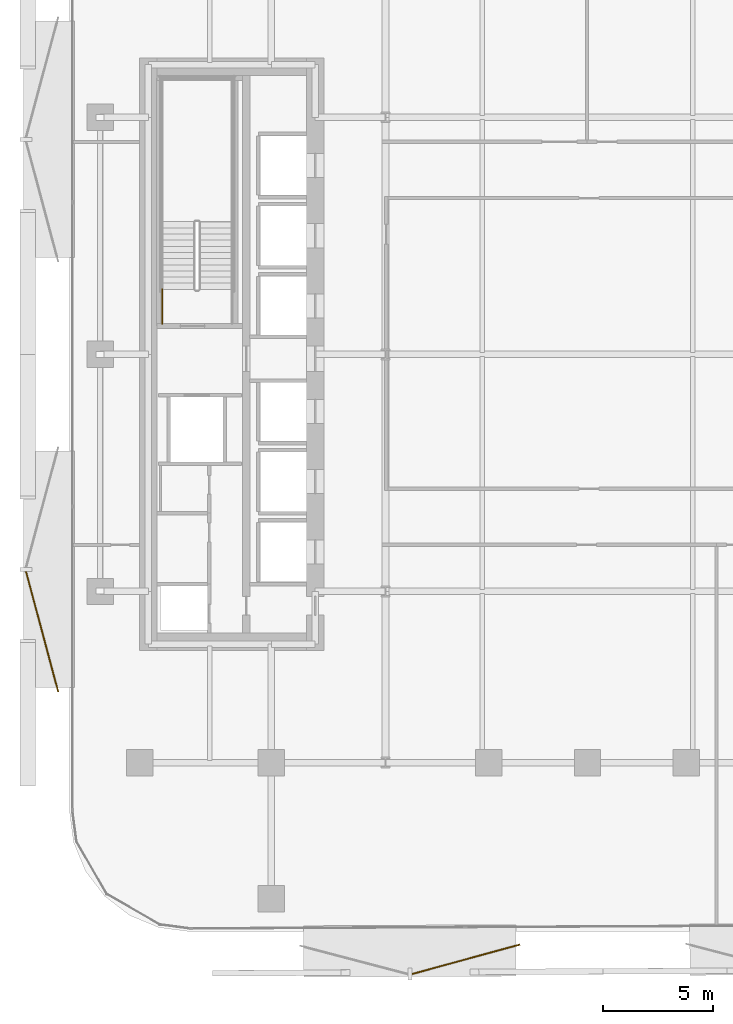
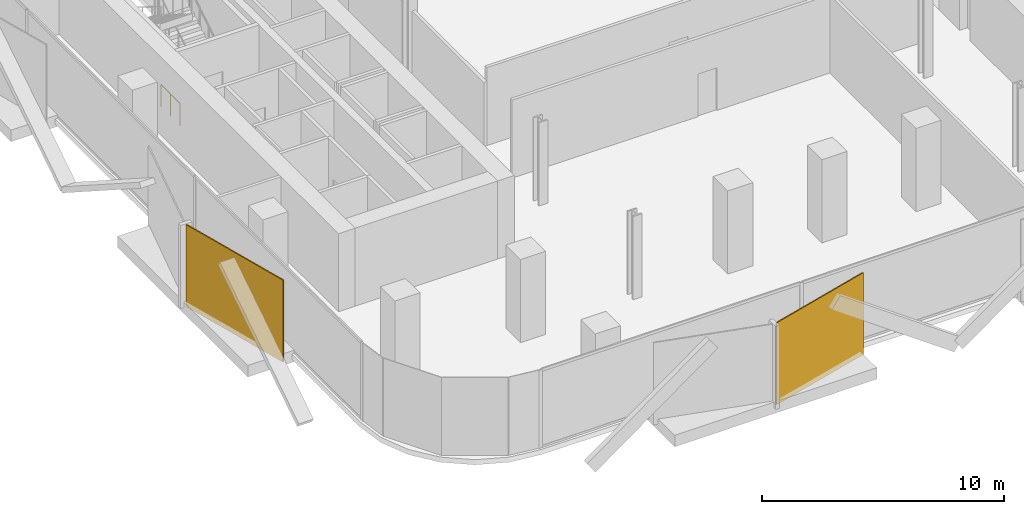
# One storey, part 10 of 14: 2 coverings, 1 railing.
"""IFC4 building model written with IfcOpenShell, lengths in metres."""

from ifc_helpers import new_model, si_unit, direction, frame, origin, origin_2d, place, context, subcontext, project, spatial, rectangle, circle, extrude, material, layer, layer_set, type_object, element, save


model = new_model("IFC4")

# Units and contexts
model_context = context("Model", 3, precision=1e-05, world=origin(), true_north=direction((0.0, 1.0)))
body_context = subcontext(model_context, "Body", "Model", "MODEL_VIEW")
ifc_project = project(units=[si_unit("LENGTHUNIT", "METRE"), si_unit("AREAUNIT", "SQUARE_METRE"), si_unit("VOLUMEUNIT", "CUBIC_METRE"), si_unit("PLANEANGLEUNIT", "RADIAN"), si_unit("MASSUNIT", "GRAM", prefix="KILO")], contexts=[model_context])

# Site, building, storey
site_placement = place(None, origin())
site = spatial("IfcSite", under=ifc_project, at=site_placement, CompositionType="ELEMENT")
building_placement = place(site_placement, origin())
building = spatial("IfcBuilding", under=site, at=building_placement, Name="Khairoan Windgate Tower", CompositionType="ELEMENT")
storey_placement = place(building_placement, frame((0.0, 0.0, 93.199951171875)))
storey = spatial("IfcBuildingStorey", under=building, at=storey_placement, Name="L21", CompositionType="ELEMENT", Elevation=93.199951171875)

# Coverings
ifc_material_1 = material(Name="Anodised Bronze Aluminium 6063-T6", Category="aluminium")
ifc_layer = layer(ifc_material_1, 0.054931640625, Name="Anodised Bronze Aluminium 6063-T6")
ifc_layer_set = layer_set([ifc_layer], Name="Anodised Bronze Aluminium 6063-T6")
covering_type = type_object("IfcCoveringType", Name="Perforated Bronze-Ceramic Folded Solar Screen Cladding BSC-1", PredefinedType="CLADDING", material=ifc_layer_set)
covering_1_placement = place(storey_placement, frame((-5.53564453125, -27.55859375, -0.10009765625), z_axis=(0.0, 0.0, 1.0), x_axis=(-0.964649468762, -0.263536339841, 0.0)))
element("IfcCovering", 1, at=covering_1_placement, inside=storey, type_object=covering_type, Name="L21 Folded Bronze Solar Screen Facet 114L", PredefinedType="CLADDING", context=body_context, shape_type="SweptSolid", body=[
    extrude(rectangle(XDim=5.10107421875, YDim=0.054931640625, at=origin_2d()), origin(), (0.0, 0.0, 1.0), 4.139892578125),
])
covering_2_placement = place(storey_placement, frame((-24.8447265625, -12.629150390625, -0.10009765625), z_axis=(0.0, 0.0, 1.0), x_axis=(-0.258819045103, 0.965925826289, 0.0)))
element("IfcCovering", 2, at=covering_2_placement, inside=storey, type_object=covering_type, Name="L21 Folded Bronze Solar Screen Facet 115L", PredefinedType="CLADDING", context=body_context, shape_type="SweptSolid", body=[
    extrude(rectangle(XDim=5.680908203125, YDim=0.054931640625, at=origin_2d()), origin(), (0.0, 0.0, 1.0), 4.139892578125),
])

# Railing
ifc_material_2 = material(Name="Steel S355", Category="steel")
railing_type = type_object("IfcRailingType", Name="Stairwell Safety Guardrail SGR-1150", PredefinedType="GUARDRAIL", material=ifc_material_2)
railing_placement = place(storey_placement, frame((-19.3701171875, 1.39990234375, 0.0)))
element("IfcRailing", 3, at=railing_placement, inside=storey, type_object=railing_type, Name="L21 ST2 stair guard 9", PredefinedType="GUARDRAIL", context=body_context, shape_type="SweptSolid", body=[
    extrude(circle(Radius=0.02392578125, at=origin_2d()), frame((0.0, 0.0, 1.1259765625), z_axis=(0.0, 1.0, 0.0), x_axis=(-1.0, 0.0, 0.0)), (0.0, 0.0, 1.0), 1.56005859375),
    extrude(circle(Radius=0.02099609375, at=origin_2d()), origin(), (0.0, 0.0, 1.0), 1.101806640625),
    extrude(circle(Radius=0.02099609375, at=origin_2d()), frame((0.0, 0.780029296875, 0.0)), (0.0, 0.0, 1.0), 1.101806640625),
    extrude(circle(Radius=0.02099609375, at=origin_2d()), frame((0.0, 1.56005859375, 0.0)), (0.0, 0.0, 1.0), 1.101806640625),
])

save(model, "model.ifc")
